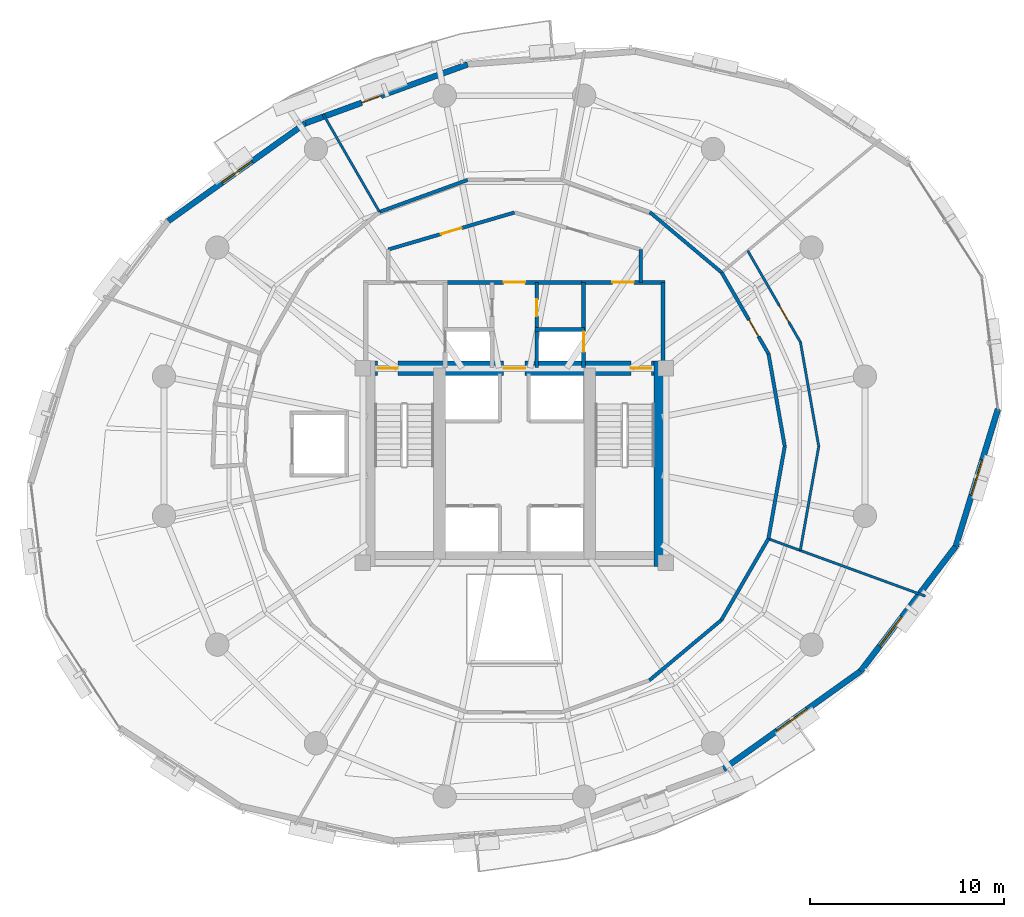
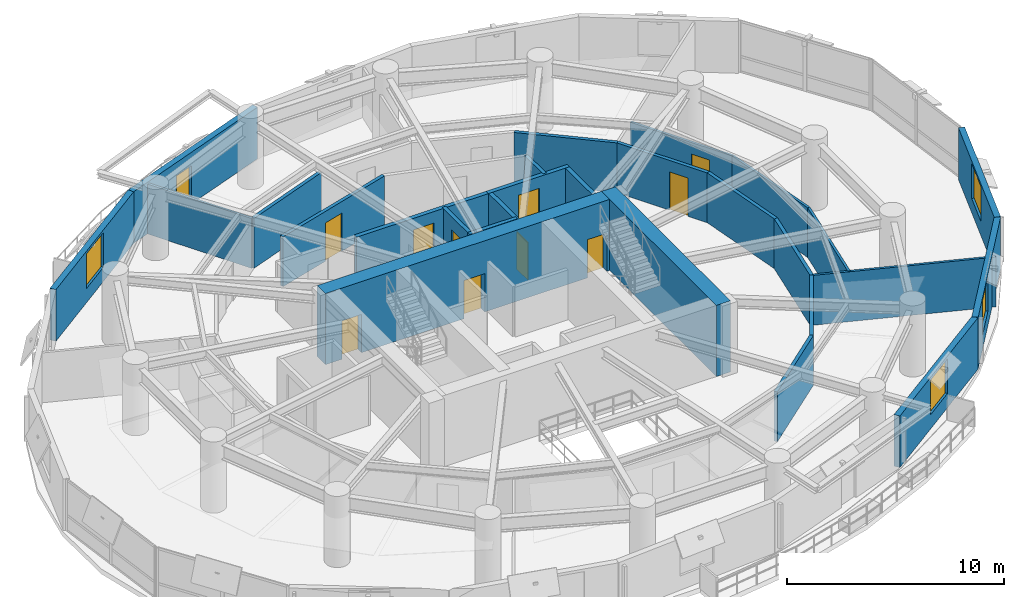
# One storey, part 11 of 15: 27 walls, 11 doors, 4 windows, 15 openings.
"""IFC4 building model written with IfcOpenShell, lengths in metres."""

from ifc_helpers import new_model, si_unit, direction, frame, frame_2d, origin, place, context, subcontext, project, spatial, rectangle, extrude, material, layer, layer_set, type_object, element, fill, save


model = new_model("IFC4")

# Units and contexts
model_context = context("Model", 3, precision=1e-05, world=origin(), true_north=direction((0.0, 1.0)))
body_context = subcontext(model_context, "Body", "Model", "MODEL_VIEW")
ifc_project = project(units=[si_unit("LENGTHUNIT", "METRE"), si_unit("AREAUNIT", "SQUARE_METRE"), si_unit("VOLUMEUNIT", "CUBIC_METRE"), si_unit("PLANEANGLEUNIT", "RADIAN"), si_unit("MASSUNIT", "GRAM", prefix="KILO"), si_unit("THERMODYNAMICTEMPERATUREUNIT", "KELVIN"), si_unit("POWERUNIT", "WATT")], contexts=[model_context])

# Site, building, storey
site_placement = place(None, origin())
site = spatial("IfcSite", under=ifc_project, at=site_placement, CompositionType="ELEMENT")
building_placement = place(site_placement, origin())
building = spatial("IfcBuilding", under=site, at=building_placement, Name="Ocrelia Relay Tower", CompositionType="ELEMENT")
storey_placement = place(building_placement, frame((0.0, 0.0, 117.800048828125)))
storey = spatial("IfcBuildingStorey", under=building, at=storey_placement, Name="L27", CompositionType="ELEMENT", Elevation=117.800048828125)

# Wall, openings, doors
ifc_material_1 = material(Name="Concrete C60/75", Category="concrete")
ifc_layer_1 = layer(ifc_material_1, 0.75, Name="Concrete C60/75")
ifc_layer_set_1 = layer_set([ifc_layer_1], Name="Concrete C60/75")
wall_type_1 = type_object("IfcWallType", Name="CW-CORE-750", PredefinedType="SHEAR", material=ifc_layer_set_1)
wall_1_placement = place(storey_placement, frame((26.072021484375, 30.012939453125, 0.0), z_axis=(0.0, 0.0, 1.0), x_axis=(1.0, 0.0, 0.0)))
wall_1 = element("IfcWall", 1, at=wall_1_placement, inside=storey, type_object=wall_type_1, Name="L27 Core Shear Wall N", PredefinedType="SHEAR", context=body_context, shape_type="SweptSolid", body=[
    extrude(rectangle(XDim=15.865966796875, YDim=0.75, at=frame_2d((7.93310546875, 0.0))), origin(), (0.0, 0.0, 1.0), 4.0),
])
opening_1_placement = place(wall_1_placement, frame((0.8779296875, 0.0, 0.0)))
opening_1 = element("IfcOpeningElement", 2, at=opening_1_placement, cuts=wall_1, Name="Opening D-FD90", PredefinedType="OPENING", context=body_context, shape_type="SweptSolid", body=[
    extrude(rectangle(XDim=1.050048828125, YDim=2.14990234375, at=frame_2d((0.52490234375, 1.074951171875))), frame((0.0, 0.385009765625, 0.0), z_axis=(0.0, -1.0, 0.0), x_axis=(1.0, 0.0, 0.0)), (0.0, 0.0, 1.0), 0.77001953125),
])
opening_2_placement = place(wall_1_placement, frame((13.927978515625, 0.0, 0.0)))
opening_2 = element("IfcOpeningElement", 3, at=opening_2_placement, cuts=wall_1, Name="Opening D-FD90", PredefinedType="OPENING", context=body_context, shape_type="SweptSolid", body=[
    extrude(rectangle(XDim=1.050048828125, YDim=2.14990234375, at=frame_2d((0.52490234375, 1.074951171875))), frame((0.0, 0.385009765625, 0.0), z_axis=(0.0, -1.0, 0.0), x_axis=(1.0, 0.0, 0.0)), (0.0, 0.0, 1.0), 0.77001953125),
])
opening_3_placement = place(wall_1_placement, frame((7.3779296875, 0.0, 0.0)))
opening_3 = element("IfcOpeningElement", 4, at=opening_3_placement, cuts=wall_1, Name="Opening D-FD60", PredefinedType="OPENING", context=body_context, shape_type="SweptSolid", body=[
    extrude(rectangle(XDim=1.10009765625, YDim=2.14990234375, at=frame_2d((0.550048828125, 1.074951171875))), frame((0.0, 0.385009765625, 0.0), z_axis=(0.0, -1.0, 0.0), x_axis=(1.0, 0.0, 0.0)), (0.0, 0.0, 1.0), 0.77001953125),
])
ifc_material_2 = material(Name="Timber-core 60-min acoustic fire door", Category="wood")
door_type_1 = type_object("IfcDoorType", Name="DR-LOBBY-FD60-1100", OperationType="NOTDEFINED", PredefinedType="DOOR", material=ifc_material_2)
door_1_placement = place(opening_3_placement, origin())
door_1 = element("IfcDoor", 5, at=door_1_placement, inside=storey, type_object=door_type_1, Name="L27 Core Lift Lobby North Fire Door", OperationType="SINGLE_SWING_LEFT", OverallHeight=2.14990234375, OverallWidth=1.10009765625, PredefinedType="DOOR", context=body_context, shape_type="SweptSolid", body=[
    extrude(rectangle(XDim=1.10009765625, YDim=2.14990234375, at=frame_2d((0.550048828125, 1.074951171875))), frame((0.0, 0.02490234375, 0.0), z_axis=(0.0, -1.0, 0.0), x_axis=(1.0, 0.0, 0.0)), (0.0, 0.0, 1.0), 0.050048828125),
])
fill(opening_3, door_1)
ifc_material_3 = material(Name="Steel S355 90-min fire door", Category="steel")
door_type_2 = type_object("IfcDoorType", Name="DR-STAIR-FD90-1050", OperationType="NOTDEFINED", PredefinedType="DOOR", material=ifc_material_3)
door_2_placement = place(opening_1_placement, origin())
door_2 = element("IfcDoor", 6, at=door_2_placement, inside=storey, type_object=door_type_2, Name="L27 Stair ST1 Fire Door", OperationType="SINGLE_SWING_LEFT", OverallHeight=2.14990234375, OverallWidth=1.050048828125, PredefinedType="DOOR", context=body_context, shape_type="SweptSolid", body=[
    extrude(rectangle(XDim=1.050048828125, YDim=2.14990234375, at=frame_2d((0.52490234375, 1.074951171875))), frame((0.0, 0.02490234375, 0.0), z_axis=(0.0, -1.0, 0.0), x_axis=(1.0, 0.0, 0.0)), (0.0, 0.0, 1.0), 0.050048828125),
])
fill(opening_1, door_2)
door_3_placement = place(opening_2_placement, origin())
door_3 = element("IfcDoor", 7, at=door_3_placement, inside=storey, type_object=door_type_2, Name="L27 Stair ST2 Fire Door", OperationType="SINGLE_SWING_RIGHT", OverallHeight=2.14990234375, OverallWidth=1.050048828125, PredefinedType="DOOR", context=body_context, shape_type="SweptSolid", body=[
    extrude(rectangle(XDim=1.050048828125, YDim=2.14990234375, at=frame_2d((0.52490234375, 1.074951171875))), frame((0.0, 0.02490234375, 0.0), z_axis=(0.0, -1.0, 0.0), x_axis=(1.0, 0.0, 0.0)), (0.0, 0.0, 1.0), 0.050048828125),
])
fill(opening_2, door_3)

# Walls
wall_2_placement = place(storey_placement, frame((41.56298828125, 19.81201171875, 0.0), z_axis=(0.0, 0.0, 1.0), x_axis=(0.0, 1.0, 0.0)))
element("IfcWall", 8, at=wall_2_placement, inside=storey, type_object=wall_type_1, Name="L27 Core Shear Wall E", PredefinedType="SHEAR", context=body_context, shape_type="SweptSolid", body=[
    extrude(rectangle(XDim=10.575927734375, YDim=0.75, at=frame_2d((5.2880859375, 0.0))), origin(), (0.0, 0.0, 1.0), 4.0),
])
ifc_material_4 = material(Name="Gypsum Fireboard Partition EI60", Category="gypsum")
ifc_layer_2 = layer(ifc_material_4, 0.179931640625, Name="Gypsum Fireboard Partition EI60")
ifc_layer_set_2 = layer_set([ifc_layer_2], Name="Gypsum Fireboard Partition EI60")
wall_type_2 = type_object("IfcWallType", Name="W-CORR-EI60-180", PredefinedType="PARTITIONING", material=ifc_layer_set_2)
wall_3_placement = place(storey_placement, frame((40.5, 36.122802734375, 0.0), z_axis=(0.0, 0.0, 1.0), x_axis=(0.0, -1.0, 0.0)))
element("IfcWall", 9, at=wall_3_placement, inside=storey, type_object=wall_type_2, Name="L27 Smoke Lobby East Return", PredefinedType="PARTITIONING", context=body_context, shape_type="SweptSolid", body=[
    extrude(rectangle(XDim=1.69287109375, YDim=0.179931640625, at=frame_2d((0.846435546875, 0.0))), origin(), (0.0, 0.0, 1.0), 2.800048828125),
])

# Wall, opening, door
wall_4_placement = place(storey_placement, frame((27.5, 36.122802734375, 0.0), z_axis=(0.0, 0.0, 1.0), x_axis=(0.959546654541, 0.281549671923, 0.0)))
wall_4 = element("IfcWall", 10, at=wall_4_placement, inside=storey, type_object=wall_type_2, Name="L27 North Smoke Lobby W Screen Wall", PredefinedType="PARTITIONING", context=body_context, shape_type="SweptSolid", body=[
    extrude(rectangle(XDim=6.77392578125, YDim=0.179931640625, at=frame_2d((3.386962890625, 0.0))), origin(), (0.0, 0.0, 1.0), 2.800048828125),
])
opening_4_placement = place(wall_4_placement, frame((2.8369140625, 0.0, 0.0)))
opening_4 = element("IfcOpeningElement", 11, at=opening_4_placement, cuts=wall_4, Name="Opening D-FD60", PredefinedType="OPENING", context=body_context, shape_type="SweptSolid", body=[
    extrude(rectangle(XDim=1.10009765625, YDim=2.14990234375, at=frame_2d((0.550048828125, 1.074951171875))), frame((0.0, 0.10009765625, 0.0), z_axis=(0.0, -1.0, 0.0), x_axis=(1.0, 0.0, 0.0)), (0.0, 0.0, 1.0), 0.199951171875),
])
door_4_placement = place(opening_4_placement, origin())
door_4 = element("IfcDoor", 12, at=door_4_placement, inside=storey, type_object=door_type_1, Name="L27 North Smoke Lobby W Fire Door", OperationType="SINGLE_SWING_LEFT", OverallHeight=2.14990234375, OverallWidth=1.10009765625, PredefinedType="DOOR", context=body_context, shape_type="SweptSolid", body=[
    extrude(rectangle(XDim=1.10009765625, YDim=2.14990234375, at=frame_2d((0.550048828125, 1.074951171875))), frame((0.0, 0.02490234375, 0.0), z_axis=(0.0, -1.0, 0.0), x_axis=(1.0, 0.0, 0.0)), (0.0, 0.0, 1.0), 0.050048828125),
])
fill(opening_4, door_4)

# Walls
for number, where, z_axis, x_axis, name in (
    (13, (40.949462890625, 13.93896484375, 0.0), (0.0, 0.0, 1.0), (0.766604462261, 0.642119613811, 0.0), "L27 Optical Switching Hall A Corridor Partition 4"),
    (14, (44.655517578125, 17.043212890625, 0.0), (0.0, 0.0, 1.0), (0.500765511673, 0.865582984074, 0.0), "L27 Optical Switching Hall A Corridor Partition 5"),
):
    element("IfcWall", number, at=place(storey_placement, frame(where, z_axis=z_axis, x_axis=x_axis)), inside=storey, type_object=wall_type_2, Name=name, PredefinedType="PARTITIONING", context=body_context, shape_type="SweptSolid", body=[
        extrude(rectangle(XDim=4.83447265625, YDim=0.179931640625, at=frame_2d((2.417236328125, 0.0))), origin(), (0.0, 0.0, 1.0), 2.800048828125),
    ])
wall_5_placement = place(storey_placement, frame((47.076416015625, 21.227783203125, 0.0), z_axis=(0.0, 0.0, 1.0), x_axis=(0.174488265891, 0.984659253278, 0.0)))
element("IfcWall", 15, at=wall_5_placement, inside=storey, type_object=wall_type_2, Name="L27 Training Seminar Room Corridor Partition 1", PredefinedType="PARTITIONING", context=body_context, shape_type="SweptSolid", body=[
    extrude(rectangle(XDim=4.834228515625, YDim=0.179931640625, at=frame_2d((2.4169921875, 0.0))), origin(), (0.0, 0.0, 1.0), 2.800048828125),
])
wall_6_placement = place(storey_placement, frame((47.919921875, 25.98779296875, 0.0), z_axis=(0.0, 0.0, 1.0), x_axis=(-0.172762518512, 0.984963508054, 0.0)))
element("IfcWall", 16, at=wall_6_placement, inside=storey, type_object=wall_type_2, Name="L27 Training Seminar Room Corridor Partition 2", PredefinedType="PARTITIONING", context=body_context, shape_type="SweptSolid", body=[
    extrude(rectangle(XDim=4.83447265625, YDim=0.179931640625, at=frame_2d((2.417236328125, 0.0))), origin(), (0.0, 0.0, 1.0), 2.800048828125),
])

# Wall, opening, door
wall_7_placement = place(storey_placement, frame((47.084716796875, 30.74951171875, 0.0), z_axis=(0.0, 0.0, 1.0), x_axis=(-0.499257498982, 0.86645366276, 0.0)))
wall_7 = element("IfcWall", 17, at=wall_7_placement, inside=storey, type_object=wall_type_2, Name="L27 Training Seminar Room Corridor Partition 3", PredefinedType="PARTITIONING", context=body_context, shape_type="SweptSolid", body=[
    extrude(rectangle(XDim=4.834228515625, YDim=0.179931640625, at=frame_2d((2.4169921875, 0.0))), origin(), (0.0, 0.0, 1.0), 2.800048828125),
])
opening_5_placement = place(wall_7_placement, frame((1.03369140625, 0.0, 0.0)))
opening_5 = element("IfcOpeningElement", 18, at=opening_5_placement, cuts=wall_7, Name="Opening D-RM100", PredefinedType="OPENING", context=body_context, shape_type="SweptSolid", body=[
    extrude(rectangle(XDim=1.0, YDim=2.14990234375, at=frame_2d((0.5, 1.074951171875))), frame((0.0, 0.10009765625, 0.0), z_axis=(0.0, -1.0, 0.0), x_axis=(1.0, 0.0, 0.0)), (0.0, 0.0, 1.0), 0.199951171875),
])
ifc_material_5 = material(Name="Acoustic oak veneer fire door", Category="wood")
door_type_3 = type_object("IfcDoorType", Name="DR-ROOM-FD60-1000", OperationType="NOTDEFINED", PredefinedType="DOOR", material=ifc_material_5)
door_5_placement = place(opening_5_placement, origin())
door_5 = element("IfcDoor", 19, at=door_5_placement, inside=storey, type_object=door_type_3, Name="L27 Training Seminar Room Entrance Door", OperationType="SINGLE_SWING_LEFT", OverallHeight=2.14990234375, OverallWidth=1.0, PredefinedType="DOOR", context=body_context, shape_type="SweptSolid", body=[
    extrude(rectangle(XDim=1.0, YDim=2.14990234375, at=frame_2d((0.5, 1.074951171875))), frame((0.0, 0.02490234375, 0.0), z_axis=(0.0, -1.0, 0.0), x_axis=(1.0, 0.0, 0.0)), (0.0, 0.0, 1.0), 0.050048828125),
])
fill(opening_5, door_5)

# Walls
for number, where, z_axis, x_axis, name in (
    (20, (44.671142578125, 34.938232421875, 0.0), (0.0, 0.0, 1.0), (-0.765474013993, 0.643466808702, 0.0), "L27 Technical Briefing Room Corridor Partition 1"),
    (21, (31.5947265625, 39.710693359375, 0.0), (0.0, 0.0, 1.0), (-0.939977597515, -0.341236158943, 0.0), "L27 Photonics Testing Studio Corridor Partition 2"),
):
    element("IfcWall", number, at=place(storey_placement, frame(where, z_axis=z_axis, x_axis=x_axis)), inside=storey, type_object=wall_type_2, Name=name, PredefinedType="PARTITIONING", context=body_context, shape_type="SweptSolid", body=[
        extrude(rectangle(XDim=4.83447265625, YDim=0.179931640625, at=frame_2d((2.417236328125, 0.0))), origin(), (0.0, 0.0, 1.0), 2.800048828125),
    ])

# Wall, opening, door
ifc_material_6 = material(Name="Precast concrete C40/50 with oxide terracotta", Category="masonry")
ifc_layer_3 = layer(ifc_material_6, 0.300048828125, Name="Precast concrete C40/50 with oxide terracotta")
ifc_layer_set_3 = layer_set([ifc_layer_3], Name="Precast concrete C40/50 with oxide terracotta")
wall_type_3 = type_object("IfcWallType", Name="W-EXT-TERR-300", PredefinedType="SOLIDWALL", material=ifc_layer_set_3)
wall_8_placement = place(storey_placement, frame((31.5927734375, 45.66064453125, 0.0), z_axis=(0.0, 0.0, 1.0), x_axis=(-0.939992901383, -0.341193999582, 0.0)))
wall_8 = element("IfcWall", 22, at=wall_8_placement, inside=storey, type_object=wall_type_3, Name="L27 Oxide Terracotta Facade Wall 05", PredefinedType="SOLIDWALL", context=body_context, shape_type="SweptSolid", body=[
    extrude(rectangle(XDim=8.890625, YDim=0.300048828125, at=frame_2d((4.4453125, 0.0))), origin(), (0.0, 0.0, 1.0), 2.89990234375),
])
opening_6_placement = place(wall_8_placement, frame((4.75, 0.0, 0.0)))
opening_6 = element("IfcOpeningElement", 23, at=opening_6_placement, cuts=wall_8, Name="Opening DB-105", PredefinedType="OPENING", context=body_context, shape_type="SweptSolid", body=[
    extrude(rectangle(XDim=1.050048828125, YDim=2.14990234375, at=frame_2d((0.52490234375, 1.074951171875))), frame((0.0, 0.16015625, 0.0), z_axis=(0.0, -1.0, 0.0), x_axis=(1.0, 0.0, 0.0)), (0.0, 0.0, 1.0), 0.320068359375),
])
ifc_material_7 = material(Name="Thermally broken aluminium and clear glass", Category="aluminium")
door_type_4 = type_object("IfcDoorType", Name="DR-BALC-1050", OperationType="NOTDEFINED", PredefinedType="DOOR", material=ifc_material_7)
door_6_placement = place(opening_6_placement, origin())
door_6 = element("IfcDoor", 24, at=door_6_placement, inside=storey, type_object=door_type_4, Name="L27 Planted Loggia Balcony Door B1", OperationType="SINGLE_SWING_LEFT", OverallHeight=2.14990234375, OverallWidth=1.050048828125, PredefinedType="DOOR", context=body_context, shape_type="SweptSolid", body=[
    extrude(rectangle(XDim=1.050048828125, YDim=2.14990234375, at=frame_2d((0.52490234375, 1.074951171875))), frame((0.0, 0.02490234375, 0.0), z_axis=(0.0, -1.0, 0.0), x_axis=(1.0, 0.0, 0.0)), (0.0, 0.0, 1.0), 0.050048828125),
])
fill(opening_6, door_6)

# Wall, opening, window
wall_9_placement = place(storey_placement, frame((23.235595703125, 42.627197265625, 0.0), z_axis=(0.0, 0.0, 1.0), x_axis=(-0.8139046132, -0.580998520317, 0.0)))
wall_9 = element("IfcWall", 25, at=wall_9_placement, inside=storey, type_object=wall_type_3, Name="L27 Oxide Terracotta Facade Wall 06", PredefinedType="SOLIDWALL", context=body_context, shape_type="SweptSolid", body=[
    extrude(rectangle(XDim=8.673095703125, YDim=0.300048828125, at=frame_2d((4.33642578125, 0.0))), origin(), (0.0, 0.0, 1.0), 2.89990234375),
])
opening_7_placement = place(wall_9_placement, frame((3.385986328125, 0.0, 0.800048828125)))
opening_7 = element("IfcOpeningElement", 26, at=opening_7_placement, cuts=wall_9, Name="Opening W-06", PredefinedType="OPENING", context=body_context, shape_type="SweptSolid", body=[
    extrude(rectangle(XDim=1.89990234375, YDim=1.949951171875, at=frame_2d((0.949951171875, 0.97509765625))), frame((0.0, 0.16015625, 0.0), z_axis=(0.0, -1.0, 0.0), x_axis=(1.0, 0.0, 0.0)), (0.0, 0.0, 1.0), 0.320068359375),
])
ifc_material_8 = material(Name="Clear double-glazed low-E glass", Category="glass")
window_type = type_object("IfcWindowType", Name="WIN-Z2-1900x2100", PartitioningType="DOUBLE_PANEL_VERTICAL", PredefinedType="WINDOW", material=ifc_material_8)
window_1_placement = place(opening_7_placement, origin())
window_1 = element("IfcWindow", 27, at=window_1_placement, inside=storey, type_object=window_type, Name="L27 Facade Module Window 06", OverallHeight=1.949951171875, OverallWidth=1.89990234375, PartitioningType="SINGLE_PANEL", PredefinedType="WINDOW", context=body_context, shape_type="SweptSolid", body=[
    extrude(rectangle(XDim=1.89990234375, YDim=1.949951171875, at=frame_2d((0.949951171875, 0.97509765625))), frame((0.0, 0.030029296875, 0.0), z_axis=(0.0, -1.0, 0.0), x_axis=(1.0, 0.0, 0.0)), (0.0, 0.0, 1.0), 0.06005859375),
])
fill(opening_7, window_1)

wall_10_placement = place(storey_placement, frame((44.764404296875, 9.372802734375, 0.0), z_axis=(0.0, 0.0, 1.0), x_axis=(0.8139046132, 0.580998520317, 0.0)))
wall_10 = element("IfcWall", 28, at=wall_10_placement, inside=storey, type_object=wall_type_3, Name="L27 Oxide Terracotta Facade Wall 15", PredefinedType="SOLIDWALL", context=body_context, shape_type="SweptSolid", body=[
    extrude(rectangle(XDim=8.673095703125, YDim=0.300048828125, at=frame_2d((4.33642578125, 0.0))), origin(), (0.0, 0.0, 1.0), 2.89990234375),
])
opening_8_placement = place(wall_10_placement, frame((3.385986328125, 0.0, 0.800048828125)))
opening_8 = element("IfcOpeningElement", 29, at=opening_8_placement, cuts=wall_10, Name="Opening W-06", PredefinedType="OPENING", context=body_context, shape_type="SweptSolid", body=[
    extrude(rectangle(XDim=1.89990234375, YDim=1.949951171875, at=frame_2d((0.949951171875, 0.97509765625))), frame((0.0, 0.16015625, 0.0), z_axis=(0.0, -1.0, 0.0), x_axis=(1.0, 0.0, 0.0)), (0.0, 0.0, 1.0), 0.320068359375),
])
window_2_placement = place(opening_8_placement, origin())
window_2 = element("IfcWindow", 30, at=window_2_placement, inside=storey, type_object=window_type, Name="L27 Facade Module Window 15", OverallHeight=1.949951171875, OverallWidth=1.89990234375, PartitioningType="SINGLE_PANEL", PredefinedType="WINDOW", context=body_context, shape_type="SweptSolid", body=[
    extrude(rectangle(XDim=1.89990234375, YDim=1.949951171875, at=frame_2d((0.949951171875, 0.97509765625))), frame((0.0, 0.030029296875, 0.0), z_axis=(0.0, -1.0, 0.0), x_axis=(1.0, 0.0, 0.0)), (0.0, 0.0, 1.0), 0.06005859375),
])
fill(opening_8, window_2)

wall_11_placement = place(storey_placement, frame((51.823486328125, 14.411865234375, 0.0), z_axis=(0.0, 0.0, 1.0), x_axis=(0.606432047851, 0.795135316371, 0.0)))
wall_11 = element("IfcWall", 31, at=wall_11_placement, inside=storey, type_object=wall_type_3, Name="L27 Oxide Terracotta Facade Wall 16", PredefinedType="SOLIDWALL", context=body_context, shape_type="SweptSolid", body=[
    extrude(rectangle(XDim=8.09521484375, YDim=0.300048828125, at=frame_2d((4.047607421875, 0.0))), origin(), (0.0, 0.0, 1.0), 2.89990234375),
])
opening_9_placement = place(wall_11_placement, frame((1.614990234375, 0.0, 0.800048828125)))
opening_9 = element("IfcOpeningElement", 32, at=opening_9_placement, cuts=wall_11, Name="Opening W-06", PredefinedType="OPENING", context=body_context, shape_type="SweptSolid", body=[
    extrude(rectangle(XDim=1.89990234375, YDim=1.949951171875, at=frame_2d((0.949951171875, 0.97509765625))), frame((0.0, 0.16015625, 0.0), z_axis=(0.0, -1.0, 0.0), x_axis=(1.0, 0.0, 0.0)), (0.0, 0.0, 1.0), 0.320068359375),
])
window_3_placement = place(opening_9_placement, origin())
window_3 = element("IfcWindow", 33, at=window_3_placement, inside=storey, type_object=window_type, Name="L27 Facade Module Window 16", OverallHeight=1.949951171875, OverallWidth=1.89990234375, PartitioningType="SINGLE_PANEL", PredefinedType="WINDOW", context=body_context, shape_type="SweptSolid", body=[
    extrude(rectangle(XDim=1.89990234375, YDim=1.949951171875, at=frame_2d((0.949951171875, 0.97509765625))), frame((0.0, 0.030029296875, 0.0), z_axis=(0.0, -1.0, 0.0), x_axis=(1.0, 0.0, 0.0)), (0.0, 0.0, 1.0), 0.06005859375),
])
fill(opening_9, window_3)

wall_12_placement = place(storey_placement, frame((56.732666015625, 20.8486328125, 0.0), z_axis=(0.0, 0.0, 1.0), x_axis=(0.293539741082, 0.955946871121, 0.0)))
wall_12 = element("IfcWall", 34, at=wall_12_placement, inside=storey, type_object=wall_type_3, Name="L27 Oxide Terracotta Facade Wall 17", PredefinedType="SOLIDWALL", context=body_context, shape_type="SweptSolid", body=[
    extrude(rectangle(XDim=7.383056640625, YDim=0.300048828125, at=frame_2d((3.69140625, 0.0))), origin(), (0.0, 0.0, 1.0), 2.89990234375),
])
opening_10_placement = place(wall_12_placement, frame((2.741943359375, 0.0, 0.800048828125)))
opening_10 = element("IfcOpeningElement", 35, at=opening_10_placement, cuts=wall_12, Name="Opening W-06", PredefinedType="OPENING", context=body_context, shape_type="SweptSolid", body=[
    extrude(rectangle(XDim=1.89990234375, YDim=1.949951171875, at=frame_2d((0.949951171875, 0.97509765625))), frame((0.0, 0.16015625, 0.0), z_axis=(0.0, -1.0, 0.0), x_axis=(1.0, 0.0, 0.0)), (0.0, 0.0, 1.0), 0.320068359375),
])
window_4_placement = place(opening_10_placement, origin())
window_4 = element("IfcWindow", 36, at=window_4_placement, inside=storey, type_object=window_type, Name="L27 Facade Module Window 17", OverallHeight=1.949951171875, OverallWidth=1.89990234375, PartitioningType="SINGLE_PANEL", PredefinedType="WINDOW", context=body_context, shape_type="SweptSolid", body=[
    extrude(rectangle(XDim=1.89990234375, YDim=1.949951171875, at=frame_2d((0.949951171875, 0.97509765625))), frame((0.0, 0.030029296875, 0.0), z_axis=(0.0, -1.0, 0.0), x_axis=(1.0, 0.0, 0.0)), (0.0, 0.0, 1.0), 0.06005859375),
])
fill(opening_10, window_4)

# Wall, opening, door
ifc_material_9 = material(Name="Concrete C50/60", Category="concrete")
ifc_layer_4 = layer(ifc_material_9, 0.219970703125, Name="Concrete C50/60")
ifc_layer_set_4 = layer_set([ifc_layer_4], Name="Concrete C50/60")
wall_type_4 = type_object("IfcWallType", Name="W-FFL-EI120-220", PredefinedType="SOLIDWALL", material=ifc_layer_set_4)
wall_13_placement = place(storey_placement, frame((37.56005859375, 30.050048828125, 0.0), z_axis=(0.0, 0.0, 1.0), x_axis=(0.0, 1.0, 0.0)))
wall_13 = element("IfcWall", 37, at=wall_13_placement, inside=storey, type_object=wall_type_4, Name="L27 E Fire Service Lift Lobby West Wall", PredefinedType="SOLIDWALL", context=body_context, shape_type="SweptSolid", body=[
    extrude(rectangle(XDim=4.3798828125, YDim=0.219970703125, at=frame_2d((2.18994140625, 0.0))), origin(), (0.0, 0.0, 1.0), 2.800048828125),
])
opening_11_placement = place(wall_13_placement, frame((0.800048828125, 0.0, 0.0)))
opening_11 = element("IfcOpeningElement", 38, at=opening_11_placement, cuts=wall_13, Name="Opening LD-FFL2", PredefinedType="OPENING", context=body_context, shape_type="SweptSolid", body=[
    extrude(rectangle(XDim=1.050048828125, YDim=2.10009765625, at=frame_2d((0.52490234375, 1.050048828125))), frame((0.0, 0.1201171875, 0.0), z_axis=(0.0, -1.0, 0.0), x_axis=(1.0, 0.0, 0.0)), (0.0, 0.0, 1.0), 0.239990234375),
])
ifc_material_10 = material(Name="Brushed stainless steel S355 lift landing door", Category="steel")
door_type_5 = type_object("IfcDoorType", Name="DR-LIFT-LAND-1050", OperationType="DOUBLE_DOOR_SLIDING", PredefinedType="USERDEFINED", material=ifc_material_10)
door_7_placement = place(opening_11_placement, origin())
door_7 = element("IfcDoor", 39, at=door_7_placement, inside=storey, type_object=door_type_5, Name="L27 Firefighting Lift FFL2 Sliding Landing Door", ObjectType="LANDING DOOR", OperationType="DOUBLE_DOOR_SLIDING", OverallHeight=2.10009765625, OverallWidth=1.050048828125, PredefinedType="USERDEFINED", context=body_context, shape_type="SweptSolid", body=[
    extrude(rectangle(XDim=1.050048828125, YDim=2.10009765625, at=frame_2d((0.52490234375, 1.050048828125))), frame((0.0, 0.02490234375, 0.0), z_axis=(0.0, -1.0, 0.0), x_axis=(1.0, 0.0, 0.0)), (0.0, 0.0, 1.0), 0.050048828125),
])
fill(opening_11, door_7)

# Wall
wall_14_placement = place(storey_placement, frame((41.64990234375, 30.050048828125, 0.0), z_axis=(0.0, 0.0, 1.0), x_axis=(0.0, 1.0, 0.0)))
element("IfcWall", 40, at=wall_14_placement, inside=storey, type_object=wall_type_4, Name="L27 E Fire Service Lift Lobby East Wall", PredefinedType="SOLIDWALL", context=body_context, shape_type="SweptSolid", body=[
    extrude(rectangle(XDim=4.3798828125, YDim=0.219970703125, at=frame_2d((2.18994140625, 0.0))), origin(), (0.0, 0.0, 1.0), 2.800048828125),
])

# Wall, opening, door
wall_15_placement = place(storey_placement, frame((37.449951171875, 34.429931640625, 0.0), z_axis=(0.0, 0.0, 1.0), x_axis=(1.0, 0.0, 0.0)))
wall_15 = element("IfcWall", 41, at=wall_15_placement, inside=storey, type_object=wall_type_4, Name="L27 E Fire Service Lift Lobby North Wall", PredefinedType="SOLIDWALL", context=body_context, shape_type="SweptSolid", body=[
    extrude(rectangle(XDim=4.31005859375, YDim=0.219970703125, at=frame_2d((2.155029296875, 0.0))), origin(), (0.0, 0.0, 1.0), 2.800048828125),
])
opening_12_placement = place(wall_15_placement, frame((1.60009765625, 0.0, 0.0)))
opening_12 = element("IfcOpeningElement", 42, at=opening_12_placement, cuts=wall_15, Name="Opening D-FD60", PredefinedType="OPENING", context=body_context, shape_type="SweptSolid", body=[
    extrude(rectangle(XDim=1.10009765625, YDim=2.14990234375, at=frame_2d((0.550048828125, 1.074951171875))), frame((0.0, 0.1201171875, 0.0), z_axis=(0.0, -1.0, 0.0), x_axis=(1.0, 0.0, 0.0)), (0.0, 0.0, 1.0), 0.239990234375),
])
door_8_placement = place(opening_12_placement, origin())
door_8 = element("IfcDoor", 43, at=door_8_placement, inside=storey, type_object=door_type_1, Name="L27 E Fire Service Lift Lobby Exit Door", OperationType="SINGLE_SWING_RIGHT", OverallHeight=2.14990234375, OverallWidth=1.10009765625, PredefinedType="DOOR", context=body_context, shape_type="SweptSolid", body=[
    extrude(rectangle(XDim=1.10009765625, YDim=2.14990234375, at=frame_2d((0.550048828125, 1.074951171875))), frame((0.0, 0.02490234375, 0.0), z_axis=(0.0, -1.0, 0.0), x_axis=(1.0, 0.0, 0.0)), (0.0, 0.0, 1.0), 0.050048828125),
])
fill(opening_12, door_8)

wall_16_placement = place(storey_placement, frame((30.43994140625, 34.429931640625, 0.0), z_axis=(0.0, 0.0, 1.0), x_axis=(1.0, 0.0, 0.0)))
wall_16 = element("IfcWall", 44, at=wall_16_placement, inside=storey, type_object=wall_type_4, Name="L27 North Core Vestibule Wall", PredefinedType="SOLIDWALL", context=body_context, shape_type="SweptSolid", body=[
    extrude(rectangle(XDim=7.1201171875, YDim=0.219970703125, at=frame_2d((3.56005859375, 0.0))), origin(), (0.0, 0.0, 1.0), 2.800048828125),
])
opening_13_placement = place(wall_16_placement, frame((3.010009765625, 0.0, 0.0)))
opening_13 = element("IfcOpeningElement", 45, at=opening_13_placement, cuts=wall_16, Name="Opening D-FD60", PredefinedType="OPENING", context=body_context, shape_type="SweptSolid", body=[
    extrude(rectangle(XDim=1.10009765625, YDim=2.14990234375, at=frame_2d((0.550048828125, 1.074951171875))), frame((0.0, 0.1201171875, 0.0), z_axis=(0.0, -1.0, 0.0), x_axis=(1.0, 0.0, 0.0)), (0.0, 0.0, 1.0), 0.239990234375),
])
door_9_placement = place(opening_13_placement, origin())
door_9 = element("IfcDoor", 46, at=door_9_placement, inside=storey, type_object=door_type_1, Name="L27 North Core Vestibule Corridor Door", OperationType="SINGLE_SWING_RIGHT", OverallHeight=2.14990234375, OverallWidth=1.10009765625, PredefinedType="DOOR", context=body_context, shape_type="SweptSolid", body=[
    extrude(rectangle(XDim=1.10009765625, YDim=2.14990234375, at=frame_2d((0.550048828125, 1.074951171875))), frame((0.0, 0.02490234375, 0.0), z_axis=(0.0, -1.0, 0.0), x_axis=(1.0, 0.0, 0.0)), (0.0, 0.0, 1.0), 0.050048828125),
])
fill(opening_13, door_9)

# Walls
ifc_material_11 = material(Name="Acoustic Fireboard Partition EI60", Category="gypsum")
ifc_layer_5 = layer(ifc_material_11, 0.125, Name="Acoustic Fireboard Partition EI60")
ifc_layer_set_5 = layer_set([ifc_layer_5], Name="Acoustic Fireboard Partition EI60")
wall_type_5 = type_object("IfcWallType", Name="W-PART-125", PredefinedType="PARTITIONING", material=ifc_layer_set_5)
wall_17_placement = place(storey_placement, frame((47.076416015625, 21.227783203125, 0.0), z_axis=(0.0, 0.0, 1.0), x_axis=(0.939388508136, -0.342854532976, 0.0)))
element("IfcWall", 47, at=wall_17_placement, inside=storey, type_object=wall_type_5, Name="L27 Optical Switching Hall A Radial Partition", PredefinedType="PARTITIONING", context=body_context, shape_type="SweptSolid", body=[
    extrude(rectangle(XDim=8.604736328125, YDim=0.125, at=frame_2d((4.30224609375, 0.0))), origin(), (0.0, 0.0, 1.0), 2.800048828125),
])
for number, where, z_axis, x_axis, name in (
    (48, (48.72021484375, 20.627685546875, 0.0), (0.0, 0.0, 1.0), (0.174509537168, 0.984655483627, 0.0), "L27 Perimeter Training Seminar Room Mid-Ring Partition 1"),
    (49, (49.669921875, 25.986328125, 0.0), (0.0, 0.0, 1.0), (-0.172759010698, 0.984964123317, 0.0), "L27 Perimeter Training Seminar Room Mid-Ring Partition 2"),
):
    element("IfcWall", number, at=place(storey_placement, frame(where, z_axis=z_axis, x_axis=x_axis)), inside=storey, type_object=wall_type_5, Name=name, PredefinedType="PARTITIONING", context=body_context, shape_type="SweptSolid", body=[
        extrude(rectangle(XDim=5.442138671875, YDim=0.125, at=frame_2d((2.72119140625, 0.0))), origin(), (0.0, 0.0, 1.0), 2.800048828125),
    ])

# Wall, opening, door
wall_18_placement = place(storey_placement, frame((48.729736328125, 31.3466796875, 0.0), z_axis=(0.0, 0.0, 1.0), x_axis=(-0.499261521173, 0.866451345129, 0.0)))
wall_18 = element("IfcWall", 50, at=wall_18_placement, inside=storey, type_object=wall_type_5, Name="L27 Perimeter Training Seminar Room Mid-Ring Partition 3", PredefinedType="PARTITIONING", context=body_context, shape_type="SweptSolid", body=[
    extrude(rectangle(XDim=5.442138671875, YDim=0.125, at=frame_2d((2.72119140625, 0.0))), origin(), (0.0, 0.0, 1.0), 2.800048828125),
])
opening_14_placement = place(wall_18_placement, frame((1.212890625, 0.0, 0.0)))
opening_14 = element("IfcOpeningElement", 51, at=opening_14_placement, cuts=wall_18, Name="Opening D-RM95", PredefinedType="OPENING", context=body_context, shape_type="SweptSolid", body=[
    extrude(rectangle(XDim=0.949951171875, YDim=2.14990234375, at=frame_2d((0.47509765625, 1.074951171875))), frame((0.0, 0.072509765625, 0.0), z_axis=(0.0, -1.0, 0.0), x_axis=(1.0, 0.0, 0.0)), (0.0, 0.0, 1.0), 0.14501953125),
])
door_type_6 = type_object("IfcDoorType", Name="DR-ROOM-950", OperationType="NOTDEFINED", PredefinedType="DOOR", material=ifc_material_5)
door_10_placement = place(opening_14_placement, origin())
door_10 = element("IfcDoor", 52, at=door_10_placement, inside=storey, type_object=door_type_6, Name="L27 Perimeter Training Seminar Room Connecting Door", OperationType="SINGLE_SWING_RIGHT", OverallHeight=2.14990234375, OverallWidth=0.949951171875, PredefinedType="DOOR", context=body_context, shape_type="SweptSolid", body=[
    extrude(rectangle(XDim=0.949951171875, YDim=2.14990234375, at=frame_2d((0.47509765625, 1.074951171875))), frame((0.0, 0.02490234375, 0.0), z_axis=(0.0, -1.0, 0.0), x_axis=(1.0, 0.0, 0.0)), (0.0, 0.0, 1.0), 0.050048828125),
])
fill(opening_14, door_10)

# Walls
wall_19_placement = place(storey_placement, frame((27.050537109375, 38.06103515625, 0.0), z_axis=(0.0, 0.0, 1.0), x_axis=(-0.499221008812, 0.866474687663, 0.0)))
element("IfcWall", 53, at=wall_19_placement, inside=storey, type_object=wall_type_5, Name="L27 Photonics Testing Studio Radial Partition", PredefinedType="PARTITIONING", context=body_context, shape_type="SweptSolid", body=[
    extrude(rectangle(XDim=5.803466796875, YDim=0.125, at=frame_2d((2.90185546875, 0.0))), origin(), (0.0, 0.0, 1.0), 2.800048828125),
])
ifc_layer_6 = layer(ifc_material_9, 0.199951171875, Name="Concrete C50/60")
ifc_layer_set_6 = layer_set([ifc_layer_6], Name="Concrete C50/60")
wall_type_6 = type_object("IfcWallType", Name="W-SHAFT-EI120-200", PredefinedType="SOLIDWALL", material=ifc_layer_set_6)
wall_20_placement = place(storey_placement, frame((35.050048828125, 32.0, 0.0), z_axis=(0.0, 0.0, 1.0), x_axis=(1.0, 0.0, 0.0)))
element("IfcWall", 54, at=wall_20_placement, inside=storey, type_object=wall_type_6, Name="L27 FFL2 Hoistway North Wall", PredefinedType="SOLIDWALL", context=body_context, shape_type="SweptSolid", body=[
    extrude(rectangle(XDim=2.550048828125, YDim=0.199951171875, at=frame_2d((1.27490234375, 0.0))), origin(), (0.0, 0.0, 1.0), 2.800048828125),
])

# Wall, opening, door
wall_21_placement = place(storey_placement, frame((35.14990234375, 30.050048828125, 0.0), z_axis=(0.0, 0.0, 1.0), x_axis=(0.0, 1.0, 0.0)))
wall_21 = element("IfcWall", 55, at=wall_21_placement, inside=storey, type_object=wall_type_6, Name="L27 FFL2 and Service Vestibule Wall", PredefinedType="SOLIDWALL", context=body_context, shape_type="SweptSolid", body=[
    extrude(rectangle(XDim=4.3798828125, YDim=0.199951171875, at=frame_2d((2.18994140625, 0.0))), origin(), (0.0, 0.0, 1.0), 2.800048828125),
])
opening_15_placement = place(wall_21_placement, frame((2.64990234375, 0.0, 0.0)))
opening_15 = element("IfcOpeningElement", 56, at=opening_15_placement, cuts=wall_21, Name="Opening D-RS86", PredefinedType="OPENING", context=body_context, shape_type="SweptSolid", body=[
    extrude(rectangle(XDim=0.860107421875, YDim=2.050048828125, at=frame_2d((0.43017578125, 1.02490234375))), frame((0.0, 0.10986328125, 0.0), z_axis=(0.0, -1.0, 0.0), x_axis=(1.0, 0.0, 0.0)), (0.0, 0.0, 1.0), 0.219970703125),
])
ifc_material_12 = material(Name="Steel S355 riser access fire door", Category="steel")
door_type_7 = type_object("IfcDoorType", Name="DR-RISER-TRAP-860", OperationType="NOTDEFINED", PredefinedType="TRAPDOOR", material=ifc_material_12)
door_11_placement = place(opening_15_placement, origin())
door_11 = element("IfcDoor", 57, at=door_11_placement, inside=storey, type_object=door_type_7, Name="L27 Core Support Room E Door", OperationType="SINGLE_SWING_LEFT", OverallHeight=2.050048828125, OverallWidth=0.860107421875, PredefinedType="TRAPDOOR", context=body_context, shape_type="SweptSolid", body=[
    extrude(rectangle(XDim=0.860107421875, YDim=2.050048828125, at=frame_2d((0.43017578125, 1.02490234375))), frame((0.0, 0.02490234375, 0.0), z_axis=(0.0, -1.0, 0.0), x_axis=(1.0, 0.0, 0.0)), (0.0, 0.0, 1.0), 0.050048828125),
])
fill(opening_15, door_11)

save(model, "model.ifc")
